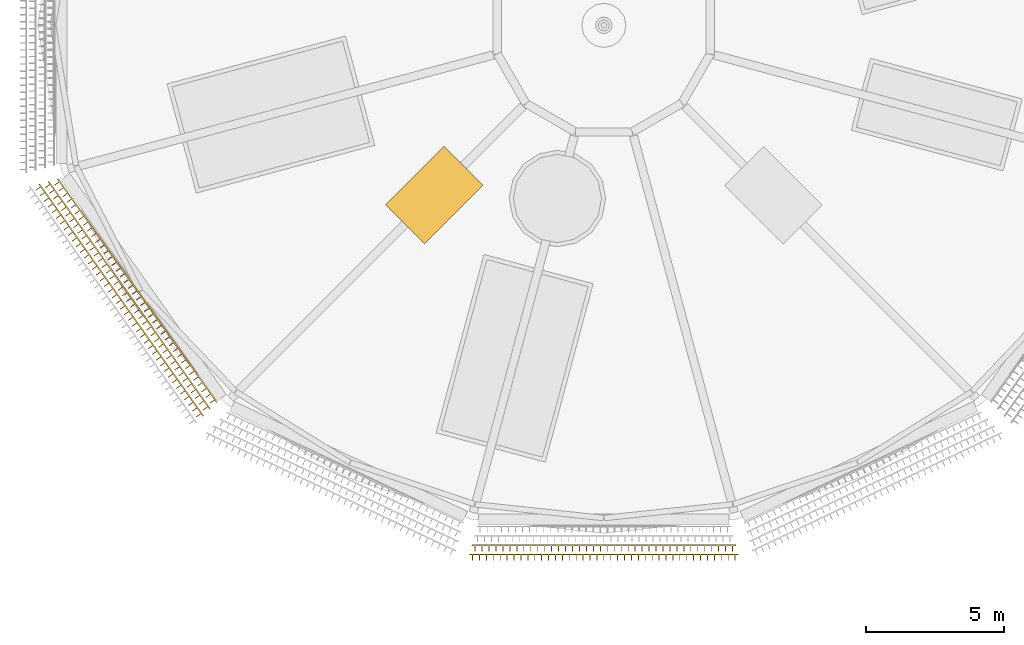
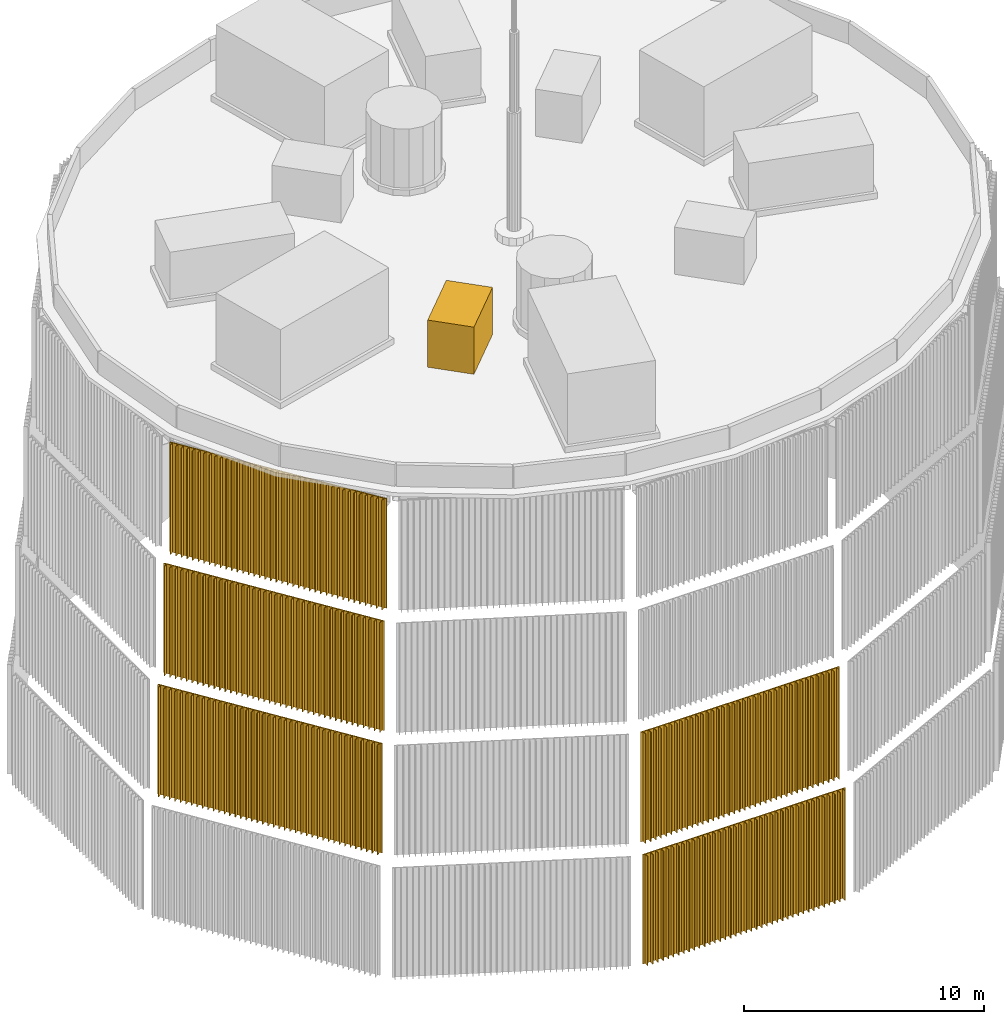
# One storey, part 4 of 24: 6 coverings.
"""IFC4 building model written with IfcOpenShell, lengths in metres."""

from ifc_helpers import new_model, si_unit, direction, frame, origin, place, context, subcontext, project, spatial, polyline, outline, extrude, material, type_object, element, save


model = new_model("IFC4")

# Units and contexts
model_context = context("Model", 3, precision=1e-05, world=origin(), true_north=direction((0.0, 1.0)))
body_context = subcontext(model_context, "Body", "Model", "MODEL_VIEW")
ifc_project = project(units=[si_unit("LENGTHUNIT", "METRE"), si_unit("AREAUNIT", "SQUARE_METRE"), si_unit("VOLUMEUNIT", "CUBIC_METRE"), si_unit("PLANEANGLEUNIT", "RADIAN"), si_unit("MASSUNIT", "GRAM", prefix="KILO")], contexts=[model_context])

# Site, building, storey
site_placement = place(None, origin())
site = spatial("IfcSite", under=ifc_project, at=site_placement, CompositionType="ELEMENT")
building_placement = place(site_placement, origin())
building = spatial("IfcBuilding", under=site, at=building_placement, Name="Rimbun Link Towers", CompositionType="ELEMENT")
storey_placement = place(building_placement, frame((0.0, 0.0, 294.89990234375)))
storey = spatial("IfcBuildingStorey", under=building, at=storey_placement, Name="Roof cap", CompositionType="ELEMENT", Elevation=294.89990234375)

# Coverings
ifc_material_1 = material(Name="Aluminium 6063-T6", Category="aluminium")
covering_type_1 = type_object("IfcCoveringType", Name="ROOF PLANT louvred enclosure 3000X2000X2400", PredefinedType="CLADDING", material=ifc_material_1)
covering_1_placement = place(storey_placement, frame((0.0, 0.0, 0.7001953125)))
element("IfcCovering", 1, at=covering_1_placement, inside=storey, type_object=covering_type_1, Name="ROOF PLANT louvred enclosure", PredefinedType="CLADDING", context=body_context, shape_type="SweptSolid", body=[
    extrude(outline(polyline([(-37.54931640625, -4.385009765625), (-39.670654296875, -6.50634765625), (-38.25634765625, -7.920654296875), (-36.135009765625, -5.79931640625), (-37.54931640625, -4.385009765625)])), origin(), (0.0, 0.0, 1.0), 2.39990234375),
])
ifc_material_2 = material(Name="Terracotta", Category="masonry")
covering_type_2 = type_object("IfcCoveringType", Name="TERRACOTTA CLADDING screen fins", PredefinedType="CLADDING", material=ifc_material_2)
covering_2_placement = place(storey_placement, frame((0.0, 0.0, -23.087890625)))
element("IfcCovering", 2, at=covering_2_placement, inside=storey, type_object=covering_type_2, Name="TERRACOTTA CLADDING screen", PredefinedType="CLADDING", context=body_context, shape_type="SweptSolid", body=[
    extrude(outline(polyline([(-36.63525390625, -19.212890625), (-36.52490234375, -19.212890625), (-36.52490234375, -19.4130859375), (-36.494873046875, -19.4130859375), (-36.494873046875, -19.212890625), (-36.2744140625, -19.212890625), (-36.2744140625, -19.4130859375), (-36.244384765625, -19.4130859375), (-36.244384765625, -19.212890625), (-36.02392578125, -19.212890625), (-36.02392578125, -19.4130859375), (-35.993896484375, -19.4130859375), (-35.993896484375, -19.212890625), (-35.773193359375, -19.212890625), (-35.773193359375, -19.4130859375), (-35.743408203125, -19.4130859375), (-35.743408203125, -19.212890625), (-35.522705078125, -19.212890625), (-35.522705078125, -19.4130859375), (-35.492919921875, -19.4130859375), (-35.492919921875, -19.212890625), (-35.272216796875, -19.212890625), (-35.272216796875, -19.4130859375), (-35.2421875, -19.4130859375), (-35.2421875, -19.212890625), (-35.021728515625, -19.212890625), (-35.021728515625, -19.4130859375), (-34.99169921875, -19.4130859375), (-34.99169921875, -19.212890625), (-34.771240234375, -19.212890625), (-34.771240234375, -19.4130859375), (-34.7412109375, -19.4130859375), (-34.7412109375, -19.212890625), (-34.520751953125, -19.212890625), (-34.520751953125, -19.4130859375), (-34.49072265625, -19.4130859375), (-34.49072265625, -19.212890625), (-34.270263671875, -19.212890625), (-34.270263671875, -19.4130859375), (-34.240234375, -19.4130859375), (-34.240234375, -19.212890625), (-34.019775390625, -19.212890625), (-34.019775390625, -19.4130859375), (-33.98974609375, -19.4130859375), (-33.98974609375, -19.212890625), (-33.769287109375, -19.212890625), (-33.769287109375, -19.4130859375), (-33.7392578125, -19.4130859375), (-33.7392578125, -19.212890625), (-33.5185546875, -19.212890625), (-33.5185546875, -19.4130859375), (-33.488525390625, -19.4130859375), (-33.488525390625, -19.212890625), (-33.26806640625, -19.212890625), (-33.26806640625, -19.4130859375), (-33.238037109375, -19.4130859375), (-33.238037109375, -19.212890625), (-33.017578125, -19.212890625), (-33.017578125, -19.4130859375), (-32.987548828125, -19.4130859375), (-32.987548828125, -19.212890625), (-32.76708984375, -19.212890625), (-32.76708984375, -19.4130859375), (-32.737060546875, -19.4130859375), (-32.737060546875, -19.212890625), (-32.5166015625, -19.212890625), (-32.5166015625, -19.4130859375), (-32.486572265625, -19.4130859375), (-32.486572265625, -19.212890625), (-32.26611328125, -19.212890625), (-32.26611328125, -19.4130859375), (-32.236083984375, -19.4130859375), (-32.236083984375, -19.212890625), (-32.015380859375, -19.212890625), (-32.015380859375, -19.4130859375), (-31.985595703125, -19.4130859375), (-31.985595703125, -19.212890625), (-31.764892578125, -19.212890625), (-31.764892578125, -19.4130859375), (-31.735107421875, -19.4130859375), (-31.735107421875, -19.212890625), (-31.514404296875, -19.212890625), (-31.514404296875, -19.4130859375), (-31.484619140625, -19.4130859375), (-31.484619140625, -19.212890625), (-31.263916015625, -19.212890625), (-31.263916015625, -19.4130859375), (-31.23388671875, -19.4130859375), (-31.23388671875, -19.212890625), (-31.013427734375, -19.212890625), (-31.013427734375, -19.4130859375), (-30.9833984375, -19.4130859375), (-30.9833984375, -19.212890625), (-30.762939453125, -19.212890625), (-30.762939453125, -19.4130859375), (-30.73291015625, -19.4130859375), (-30.73291015625, -19.212890625), (-30.512451171875, -19.212890625), (-30.512451171875, -19.4130859375), (-30.482421875, -19.4130859375), (-30.482421875, -19.212890625), (-30.261962890625, -19.212890625), (-30.261962890625, -19.4130859375), (-30.23193359375, -19.4130859375), (-30.23193359375, -19.212890625), (-30.011474609375, -19.212890625), (-30.011474609375, -19.4130859375), (-29.9814453125, -19.4130859375), (-29.9814453125, -19.212890625), (-29.7607421875, -19.212890625), (-29.7607421875, -19.4130859375), (-29.730712890625, -19.4130859375), (-29.730712890625, -19.212890625), (-29.51025390625, -19.212890625), (-29.51025390625, -19.4130859375), (-29.480224609375, -19.4130859375), (-29.480224609375, -19.212890625), (-29.259765625, -19.212890625), (-29.259765625, -19.4130859375), (-29.229736328125, -19.4130859375), (-29.229736328125, -19.212890625), (-29.00927734375, -19.212890625), (-29.00927734375, -19.4130859375), (-28.979248046875, -19.4130859375), (-28.979248046875, -19.212890625), (-28.7587890625, -19.212890625), (-28.7587890625, -19.4130859375), (-28.728759765625, -19.4130859375), (-28.728759765625, -19.212890625), (-28.50830078125, -19.212890625), (-28.50830078125, -19.4130859375), (-28.478271484375, -19.4130859375), (-28.478271484375, -19.212890625), (-28.2578125, -19.212890625), (-28.2578125, -19.4130859375), (-28.227783203125, -19.4130859375), (-28.227783203125, -19.212890625), (-28.007080078125, -19.212890625), (-28.007080078125, -19.4130859375), (-27.977294921875, -19.4130859375), (-27.977294921875, -19.212890625), (-27.756591796875, -19.212890625), (-27.756591796875, -19.4130859375), (-27.726806640625, -19.4130859375), (-27.726806640625, -19.212890625), (-27.506103515625, -19.212890625), (-27.506103515625, -19.4130859375), (-27.47607421875, -19.4130859375), (-27.47607421875, -19.212890625), (-27.255615234375, -19.212890625), (-27.255615234375, -19.4130859375), (-27.2255859375, -19.4130859375), (-27.2255859375, -19.212890625), (-27.005126953125, -19.212890625), (-27.005126953125, -19.4130859375), (-26.97509765625, -19.4130859375), (-26.97509765625, -19.212890625), (-26.86474609375, -19.212890625), (-26.878173828125, -19.1630859375), (-36.621826171875, -19.1630859375), (-36.63525390625, -19.212890625)])), origin(), (0.0, 0.0, 1.0), 5.575927734375),
])
covering_3_placement = place(storey_placement, frame((0.0, 0.0, -17.087890625)))
element("IfcCovering", 3, at=covering_3_placement, inside=storey, type_object=covering_type_2, Name="TERRACOTTA CLADDING screen", PredefinedType="CLADDING", context=body_context, shape_type="SweptSolid", body=[
    extrude(outline(polyline([(-52.255615234375, -5.75732421875), (-52.191650390625, -5.847900390625), (-52.35498046875, -5.96337890625), (-52.337646484375, -5.988037109375), (-52.17431640625, -5.87255859375), (-52.046142578125, -6.0537109375), (-52.20947265625, -6.1689453125), (-52.192138671875, -6.193603515625), (-52.02880859375, -6.078125), (-51.90087890625, -6.259033203125), (-52.064208984375, -6.37451171875), (-52.046875, -6.399169921875), (-51.883544921875, -6.28369140625), (-51.755615234375, -6.464599609375), (-51.918701171875, -6.580078125), (-51.901611328125, -6.604736328125), (-51.73828125, -6.4892578125), (-51.610107421875, -6.67041015625), (-51.7734375, -6.785888671875), (-51.756103515625, -6.810302734375), (-51.5927734375, -6.69482421875), (-51.464599609375, -6.8759765625), (-51.6279296875, -6.9912109375), (-51.610595703125, -7.015869140625), (-51.447509765625, -6.900390625), (-51.3193359375, -7.081298828125), (-51.482666015625, -7.197021484375), (-51.46533203125, -7.221435546875), (-51.302001953125, -7.10595703125), (-51.174072265625, -7.287109375), (-51.33740234375, -7.402587890625), (-51.320068359375, -7.427001953125), (-51.15673828125, -7.3115234375), (-51.028564453125, -7.49267578125), (-51.19189453125, -7.608154296875), (-51.174560546875, -7.632568359375), (-51.01123046875, -7.51708984375), (-50.88330078125, -7.6982421875), (-51.046630859375, -7.813720703125), (-51.029296875, -7.838134765625), (-50.865966796875, -7.72265625), (-50.73779296875, -7.90380859375), (-50.901123046875, -8.019287109375), (-50.8837890625, -8.043701171875), (-50.720703125, -7.92822265625), (-50.592529296875, -8.109375), (-50.755859375, -8.224853515625), (-50.738525390625, -8.249267578125), (-50.5751953125, -8.1337890625), (-50.447021484375, -8.31494140625), (-50.6103515625, -8.430419921875), (-50.593017578125, -8.454833984375), (-50.4296875, -8.33935546875), (-50.3017578125, -8.5205078125), (-50.465087890625, -8.635986328125), (-50.44775390625, -8.660400390625), (-50.284423828125, -8.544921875), (-50.156494140625, -8.72607421875), (-50.319580078125, -8.841552734375), (-50.302490234375, -8.865966796875), (-50.13916015625, -8.75048828125), (-50.010986328125, -8.931640625), (-50.17431640625, -9.047119140625), (-50.156982421875, -9.071533203125), (-49.99365234375, -8.9560546875), (-49.865478515625, -9.13720703125), (-50.02880859375, -9.252685546875), (-50.01171875, -9.277099609375), (-49.848388671875, -9.16162109375), (-49.72021484375, -9.3427734375), (-49.883544921875, -9.458251953125), (-49.8662109375, -9.48291015625), (-49.702880859375, -9.3671875), (-49.574951171875, -9.54833984375), (-49.73828125, -9.663818359375), (-49.720947265625, -9.688232421875), (-49.5576171875, -9.572998046875), (-49.429443359375, -9.75390625), (-49.5927734375, -9.869384765625), (-49.575439453125, -9.893798828125), (-49.412109375, -9.7783203125), (-49.2841796875, -9.95947265625), (-49.447509765625, -10.074951171875), (-49.43017578125, -10.099609375), (-49.266845703125, -9.98388671875), (-49.138916015625, -10.1650390625), (-49.302001953125, -10.280517578125), (-49.28466796875, -10.30517578125), (-49.12158203125, -10.189697265625), (-48.993408203125, -10.37060546875), (-49.15673828125, -10.486083984375), (-49.139404296875, -10.5107421875), (-48.97607421875, -10.395263671875), (-48.847900390625, -10.576416015625), (-49.01123046875, -10.691650390625), (-48.993896484375, -10.71630859375), (-48.830810546875, -10.600830078125), (-48.70263671875, -10.78173828125), (-48.865966796875, -10.897216796875), (-48.8486328125, -10.921875), (-48.685302734375, -10.806396484375), (-48.557373046875, -10.9873046875), (-48.720703125, -11.102783203125), (-48.703369140625, -11.12744140625), (-48.5400390625, -11.011962890625), (-48.411865234375, -11.193115234375), (-48.5751953125, -11.30859375), (-48.557861328125, -11.3330078125), (-48.39453125, -11.217529296875), (-48.2666015625, -11.398681640625), (-48.4296875, -11.513916015625), (-48.41259765625, -11.53857421875), (-48.249267578125, -11.423095703125), (-48.12109375, -11.604248046875), (-48.284423828125, -11.719482421875), (-48.26708984375, -11.744140625), (-48.103759765625, -11.628662109375), (-47.975830078125, -11.809814453125), (-48.13916015625, -11.92529296875), (-48.121826171875, -11.94970703125), (-47.95849609375, -11.834228515625), (-47.830322265625, -12.015380859375), (-47.99365234375, -12.130859375), (-47.976318359375, -12.1552734375), (-47.81298828125, -12.039794921875), (-47.68505859375, -12.220947265625), (-47.848388671875, -12.33642578125), (-47.8310546875, -12.36083984375), (-47.667724609375, -12.245361328125), (-47.539794921875, -12.426513671875), (-47.702880859375, -12.5419921875), (-47.685546875, -12.56640625), (-47.522216796875, -12.450927734375), (-47.394287109375, -12.632080078125), (-47.5576171875, -12.74755859375), (-47.540283203125, -12.77197265625), (-47.376953125, -12.656494140625), (-47.248779296875, -12.837646484375), (-47.412109375, -12.953125), (-47.39501953125, -12.9775390625), (-47.231689453125, -12.862060546875), (-47.103515625, -13.043212890625), (-47.266845703125, -13.15869140625), (-47.24951171875, -13.18310546875), (-47.086181640625, -13.067626953125), (-46.958251953125, -13.248779296875), (-47.12158203125, -13.3642578125), (-47.10400390625, -13.388671875), (-46.94091796875, -13.273193359375), (-46.812744140625, -13.454345703125), (-46.97607421875, -13.56982421875), (-46.958740234375, -13.59423828125), (-46.79541015625, -13.478759765625), (-46.66748046875, -13.659912109375), (-46.830810546875, -13.775390625), (-46.8134765625, -13.7998046875), (-46.650146484375, -13.684326171875), (-46.52197265625, -13.865478515625), (-46.685302734375, -13.98095703125), (-46.66796875, -14.005615234375), (-46.504638671875, -13.889892578125), (-46.376708984375, -14.071044921875), (-46.5400390625, -14.1865234375), (-46.522705078125, -14.2109375), (-46.359375, -14.095703125), (-46.29541015625, -14.18603515625), (-46.259521484375, -14.150146484375), (-52.2041015625, -5.74365234375), (-52.255615234375, -5.75732421875)])), origin(), (0.0, 0.0, 1.0), 5.575927734375),
])
covering_4_placement = place(storey_placement, frame((0.0, 0.0, -17.087890625)))
element("IfcCovering", 4, at=covering_4_placement, inside=storey, type_object=covering_type_2, Name="TERRACOTTA CLADDING screen", PredefinedType="CLADDING", context=body_context, shape_type="SweptSolid", body=[
    extrude(outline(polyline([(-36.544677734375, -18.875), (-36.433349609375, -18.875), (-36.433349609375, -19.074951171875), (-36.4033203125, -19.074951171875), (-36.4033203125, -18.875), (-36.180908203125, -18.875), (-36.180908203125, -19.074951171875), (-36.15087890625, -19.074951171875), (-36.15087890625, -18.875), (-35.9287109375, -18.875), (-35.9287109375, -19.074951171875), (-35.898681640625, -19.074951171875), (-35.898681640625, -18.875), (-35.67626953125, -18.875), (-35.67626953125, -19.074951171875), (-35.646240234375, -19.074951171875), (-35.646240234375, -18.875), (-35.424072265625, -18.875), (-35.424072265625, -19.074951171875), (-35.39404296875, -19.074951171875), (-35.39404296875, -18.875), (-35.171630859375, -18.875), (-35.171630859375, -19.074951171875), (-35.1416015625, -19.074951171875), (-35.1416015625, -18.875), (-34.919189453125, -18.875), (-34.919189453125, -19.074951171875), (-34.889404296875, -19.074951171875), (-34.889404296875, -18.875), (-34.6669921875, -18.875), (-34.6669921875, -19.074951171875), (-34.636962890625, -19.074951171875), (-34.636962890625, -18.875), (-34.41455078125, -18.875), (-34.41455078125, -19.074951171875), (-34.384521484375, -19.074951171875), (-34.384521484375, -18.875), (-34.162353515625, -18.875), (-34.162353515625, -19.074951171875), (-34.13232421875, -19.074951171875), (-34.13232421875, -18.875), (-33.909912109375, -18.875), (-33.909912109375, -19.074951171875), (-33.8798828125, -19.074951171875), (-33.8798828125, -18.875), (-33.65771484375, -18.875), (-33.65771484375, -19.074951171875), (-33.627685546875, -19.074951171875), (-33.627685546875, -18.875), (-33.4052734375, -18.875), (-33.4052734375, -19.074951171875), (-33.375244140625, -19.074951171875), (-33.375244140625, -18.875), (-33.15283203125, -18.875), (-33.15283203125, -19.074951171875), (-33.122802734375, -19.074951171875), (-33.122802734375, -18.875), (-32.900634765625, -18.875), (-32.900634765625, -19.074951171875), (-32.87060546875, -19.074951171875), (-32.87060546875, -18.875), (-32.648193359375, -18.875), (-32.648193359375, -19.074951171875), (-32.6181640625, -19.074951171875), (-32.6181640625, -18.875), (-32.39599609375, -18.875), (-32.39599609375, -19.074951171875), (-32.365966796875, -19.074951171875), (-32.365966796875, -18.875), (-32.1435546875, -18.875), (-32.1435546875, -19.074951171875), (-32.113525390625, -19.074951171875), (-32.113525390625, -18.875), (-31.89111328125, -18.875), (-31.89111328125, -19.074951171875), (-31.861083984375, -19.074951171875), (-31.861083984375, -18.875), (-31.638916015625, -18.875), (-31.638916015625, -19.074951171875), (-31.60888671875, -19.074951171875), (-31.60888671875, -18.875), (-31.386474609375, -18.875), (-31.386474609375, -19.074951171875), (-31.3564453125, -19.074951171875), (-31.3564453125, -18.875), (-31.134033203125, -18.875), (-31.134033203125, -19.074951171875), (-31.10400390625, -19.074951171875), (-31.10400390625, -18.875), (-30.8818359375, -18.875), (-30.8818359375, -19.074951171875), (-30.851806640625, -19.074951171875), (-30.851806640625, -18.875), (-30.62939453125, -18.875), (-30.62939453125, -19.074951171875), (-30.599365234375, -19.074951171875), (-30.599365234375, -18.875), (-30.377197265625, -18.875), (-30.377197265625, -19.074951171875), (-30.34716796875, -19.074951171875), (-30.34716796875, -18.875), (-30.124755859375, -18.875), (-30.124755859375, -19.074951171875), (-30.0947265625, -19.074951171875), (-30.0947265625, -18.875), (-29.872314453125, -18.875), (-29.872314453125, -19.074951171875), (-29.84228515625, -19.074951171875), (-29.84228515625, -18.875), (-29.6201171875, -18.875), (-29.6201171875, -19.074951171875), (-29.590087890625, -19.074951171875), (-29.590087890625, -18.875), (-29.36767578125, -18.875), (-29.36767578125, -19.074951171875), (-29.337646484375, -19.074951171875), (-29.337646484375, -18.875), (-29.115478515625, -18.875), (-29.115478515625, -19.074951171875), (-29.08544921875, -19.074951171875), (-29.08544921875, -18.875), (-28.863037109375, -18.875), (-28.863037109375, -19.074951171875), (-28.8330078125, -19.074951171875), (-28.8330078125, -18.875), (-28.610595703125, -18.875), (-28.610595703125, -19.074951171875), (-28.580810546875, -19.074951171875), (-28.580810546875, -18.875), (-28.3583984375, -18.875), (-28.3583984375, -19.074951171875), (-28.328369140625, -19.074951171875), (-28.328369140625, -18.875), (-28.10595703125, -18.875), (-28.10595703125, -19.074951171875), (-28.075927734375, -19.074951171875), (-28.075927734375, -18.875), (-27.853759765625, -18.875), (-27.853759765625, -19.074951171875), (-27.82373046875, -19.074951171875), (-27.82373046875, -18.875), (-27.601318359375, -18.875), (-27.601318359375, -19.074951171875), (-27.5712890625, -19.074951171875), (-27.5712890625, -18.875), (-27.34912109375, -18.875), (-27.34912109375, -19.074951171875), (-27.319091796875, -19.074951171875), (-27.319091796875, -18.875), (-27.0966796875, -18.875), (-27.0966796875, -19.074951171875), (-27.066650390625, -19.074951171875), (-27.066650390625, -18.875), (-26.955322265625, -18.875), (-26.96875, -18.824951171875), (-36.53125, -18.824951171875), (-36.544677734375, -18.875)])), origin(), (0.0, 0.0, 1.0), 5.575927734375),
])
covering_5_placement = place(storey_placement, frame((0.0, 0.0, -11.087890625)))
element("IfcCovering", 5, at=covering_5_placement, inside=storey, type_object=covering_type_2, Name="TERRACOTTA CLADDING screen", PredefinedType="CLADDING", context=body_context, shape_type="SweptSolid", body=[
    extrude(outline(polyline([(-51.91748046875, -5.666748046875), (-51.852783203125, -5.758056640625), (-52.01611328125, -5.873779296875), (-51.998779296875, -5.898193359375), (-51.835693359375, -5.782470703125), (-51.706298828125, -5.96484375), (-51.869384765625, -6.08056640625), (-51.851806640625, -6.10498046875), (-51.688720703125, -5.9892578125), (-51.559326171875, -6.171630859375), (-51.722412109375, -6.287353515625), (-51.705078125, -6.311767578125), (-51.5419921875, -6.196044921875), (-51.41259765625, -6.37841796875), (-51.57568359375, -6.494140625), (-51.558349609375, -6.5185546875), (-51.395263671875, -6.40283203125), (-51.26611328125, -6.585205078125), (-51.42919921875, -6.700927734375), (-51.41162109375, -6.725341796875), (-51.24853515625, -6.609619140625), (-51.119140625, -6.7919921875), (-51.2822265625, -6.90771484375), (-51.264892578125, -6.93212890625), (-51.101806640625, -6.81640625), (-50.972412109375, -6.998779296875), (-51.135498046875, -7.114501953125), (-51.1181640625, -7.138916015625), (-50.955078125, -7.023193359375), (-50.82568359375, -7.20556640625), (-50.98876953125, -7.3212890625), (-50.971435546875, -7.345703125), (-50.808349609375, -7.22998046875), (-50.678955078125, -7.412353515625), (-50.842041015625, -7.528076171875), (-50.82470703125, -7.552490234375), (-50.66162109375, -7.436767578125), (-50.5322265625, -7.619140625), (-50.6953125, -7.73486328125), (-50.677978515625, -7.759521484375), (-50.514892578125, -7.6435546875), (-50.385498046875, -7.825927734375), (-50.548583984375, -7.941650390625), (-50.53125, -7.96630859375), (-50.3681640625, -7.850341796875), (-50.23876953125, -8.03271484375), (-50.40185546875, -8.1484375), (-50.384521484375, -8.173095703125), (-50.221435546875, -8.05712890625), (-50.092041015625, -8.239501953125), (-50.255126953125, -8.355224609375), (-50.23779296875, -8.379638671875), (-50.07470703125, -8.263916015625), (-49.9453125, -8.4462890625), (-50.1083984375, -8.56201171875), (-50.091064453125, -8.58642578125), (-49.927978515625, -8.470703125), (-49.798583984375, -8.653076171875), (-49.961669921875, -8.768798828125), (-49.944091796875, -8.793212890625), (-49.781005859375, -8.677490234375), (-49.65185546875, -8.85986328125), (-49.81494140625, -8.9755859375), (-49.797607421875, -9.0), (-49.634521484375, -8.884521484375), (-49.5048828125, -9.066650390625), (-49.668212890625, -9.1826171875), (-49.65087890625, -9.206787109375), (-49.487548828125, -9.09130859375), (-49.3583984375, -9.2734375), (-49.521484375, -9.389404296875), (-49.50390625, -9.413818359375), (-49.3408203125, -9.298095703125), (-49.21142578125, -9.480224609375), (-49.37451171875, -9.595947265625), (-49.357421875, -9.62060546875), (-49.194091796875, -9.5048828125), (-49.064697265625, -9.68701171875), (-49.227783203125, -9.802734375), (-49.21044921875, -9.827392578125), (-49.04736328125, -9.711669921875), (-48.91796875, -9.893798828125), (-49.0810546875, -10.009521484375), (-49.063720703125, -10.0341796875), (-48.900634765625, -9.91845703125), (-48.771240234375, -10.1005859375), (-48.934326171875, -10.21630859375), (-48.9169921875, -10.240966796875), (-48.75390625, -10.125244140625), (-48.62451171875, -10.3076171875), (-48.78759765625, -10.423095703125), (-48.770263671875, -10.44775390625), (-48.607177734375, -10.331787109375), (-48.477783203125, -10.514404296875), (-48.640869140625, -10.6298828125), (-48.62353515625, -10.654541015625), (-48.46044921875, -10.538818359375), (-48.3310546875, -10.72119140625), (-48.494140625, -10.8369140625), (-48.476806640625, -10.861328125), (-48.313720703125, -10.74560546875), (-48.184326171875, -10.927978515625), (-48.347412109375, -11.043701171875), (-48.330078125, -11.068115234375), (-48.1669921875, -10.952392578125), (-48.03759765625, -11.134765625), (-48.20068359375, -11.25048828125), (-48.183349609375, -11.27490234375), (-48.020263671875, -11.1591796875), (-47.890869140625, -11.34130859375), (-48.053955078125, -11.457275390625), (-48.03662109375, -11.481689453125), (-47.87353515625, -11.365966796875), (-47.744140625, -11.548095703125), (-47.9072265625, -11.6640625), (-47.889892578125, -11.6884765625), (-47.726806640625, -11.57275390625), (-47.597412109375, -11.7548828125), (-47.760498046875, -11.870849609375), (-47.7431640625, -11.895263671875), (-47.580078125, -11.779541015625), (-47.45068359375, -11.9619140625), (-47.61376953125, -12.07763671875), (-47.59619140625, -12.10205078125), (-47.43310546875, -11.986328125), (-47.3037109375, -12.168701171875), (-47.466796875, -12.284423828125), (-47.44970703125, -12.308837890625), (-47.28662109375, -12.193115234375), (-47.156982421875, -12.37548828125), (-47.3203125, -12.4912109375), (-47.302734375, -12.515625), (-47.1396484375, -12.39990234375), (-47.01025390625, -12.582275390625), (-47.17333984375, -12.697998046875), (-47.156005859375, -12.722412109375), (-46.992919921875, -12.606689453125), (-46.863525390625, -12.7890625), (-47.026611328125, -12.90478515625), (-47.00927734375, -12.92919921875), (-46.84619140625, -12.8134765625), (-46.716796875, -12.995849609375), (-46.8798828125, -13.111572265625), (-46.862548828125, -13.135986328125), (-46.699462890625, -13.020263671875), (-46.570068359375, -13.20263671875), (-46.733154296875, -13.318359375), (-46.7158203125, -13.3427734375), (-46.552734375, -13.22705078125), (-46.42333984375, -13.409423828125), (-46.58642578125, -13.525146484375), (-46.569091796875, -13.549560546875), (-46.406005859375, -13.433837890625), (-46.276611328125, -13.6162109375), (-46.439697265625, -13.73193359375), (-46.42236328125, -13.75634765625), (-46.25927734375, -13.640625), (-46.1298828125, -13.822998046875), (-46.29296875, -13.938720703125), (-46.275634765625, -13.963134765625), (-46.112548828125, -13.847412109375), (-46.0478515625, -13.938720703125), (-46.011962890625, -13.902587890625), (-51.8662109375, -5.653076171875), (-51.91748046875, -5.666748046875)])), origin(), (0.0, 0.0, 1.0), 5.575927734375),
])
covering_6_placement = place(storey_placement, frame((0.0, 0.0, -5.087890625)))
element("IfcCovering", 6, at=covering_6_placement, inside=storey, type_object=covering_type_2, Name="TERRACOTTA CLADDING screen", PredefinedType="CLADDING", context=body_context, shape_type="SweptSolid", body=[
    extrude(outline(polyline([(-51.57958984375, -5.576416015625), (-51.51416015625, -5.668212890625), (-51.677001953125, -5.7841796875), (-51.65966796875, -5.80859375), (-51.496826171875, -5.6923828125), (-51.365966796875, -5.876220703125), (-51.52880859375, -5.9921875), (-51.511474609375, -6.0166015625), (-51.3486328125, -5.900634765625), (-51.2177734375, -6.084228515625), (-51.380615234375, -6.2001953125), (-51.36328125, -6.224609375), (-51.200439453125, -6.108642578125), (-51.069580078125, -6.292236328125), (-51.232421875, -6.408203125), (-51.215087890625, -6.432861328125), (-51.05224609375, -6.316650390625), (-50.92138671875, -6.50048828125), (-51.084228515625, -6.616455078125), (-51.06689453125, -6.640869140625), (-50.904052734375, -6.52490234375), (-50.773193359375, -6.70849609375), (-50.936279296875, -6.824462890625), (-50.918701171875, -6.848876953125), (-50.755859375, -6.73291015625), (-50.625, -6.91650390625), (-50.7880859375, -7.032470703125), (-50.7705078125, -7.056884765625), (-50.607666015625, -6.94091796875), (-50.476806640625, -7.12451171875), (-50.639892578125, -7.240478515625), (-50.622314453125, -7.26513671875), (-50.45947265625, -7.14892578125), (-50.32861328125, -7.332763671875), (-50.49169921875, -7.44873046875), (-50.47412109375, -7.47314453125), (-50.311279296875, -7.357177734375), (-50.180419921875, -7.540771484375), (-50.343505859375, -7.65673828125), (-50.325927734375, -7.68115234375), (-50.1630859375, -7.565185546875), (-50.0322265625, -7.748779296875), (-50.1953125, -7.86474609375), (-50.177734375, -7.889404296875), (-50.014892578125, -7.773193359375), (-49.884033203125, -7.956787109375), (-50.047119140625, -8.072998046875), (-50.029541015625, -8.097412109375), (-49.86669921875, -7.981201171875), (-49.736083984375, -8.1650390625), (-49.89892578125, -8.281005859375), (-49.881591796875, -8.305419921875), (-49.718505859375, -8.189453125), (-49.587890625, -8.373046875), (-49.750732421875, -8.489013671875), (-49.7333984375, -8.513427734375), (-49.5703125, -8.3974609375), (-49.439697265625, -8.5810546875), (-49.6025390625, -8.697021484375), (-49.585205078125, -8.7216796875), (-49.422119140625, -8.60546875), (-49.29150390625, -8.789306640625), (-49.454345703125, -8.9052734375), (-49.43701171875, -8.9296875), (-49.27392578125, -8.813720703125), (-49.143310546875, -8.997314453125), (-49.30615234375, -9.11328125), (-49.288818359375, -9.1376953125), (-49.125732421875, -9.021728515625), (-48.9951171875, -9.205322265625), (-49.157958984375, -9.3212890625), (-49.140380859375, -9.345703125), (-48.9775390625, -9.229736328125), (-48.8466796875, -9.413330078125), (-49.009765625, -9.529296875), (-48.9921875, -9.553955078125), (-48.829345703125, -9.437744140625), (-48.69873046875, -9.62158203125), (-48.861572265625, -9.737548828125), (-48.84423828125, -9.761962890625), (-48.681396484375, -9.64599609375), (-48.550537109375, -9.82958984375), (-48.71337890625, -9.945556640625), (-48.696044921875, -9.969970703125), (-48.533203125, -9.85400390625), (-48.40234375, -10.03759765625), (-48.565185546875, -10.15380859375), (-48.5478515625, -10.177978515625), (-48.385009765625, -10.06201171875), (-48.254150390625, -10.24560546875), (-48.4169921875, -10.36181640625), (-48.399658203125, -10.38623046875), (-48.23681640625, -10.27001953125), (-48.10595703125, -10.453857421875), (-48.268798828125, -10.56982421875), (-48.25146484375, -10.59423828125), (-48.08837890625, -10.478271484375), (-47.957763671875, -10.661865234375), (-48.12060546875, -10.77783203125), (-48.103271484375, -10.80224609375), (-47.940185546875, -10.686279296875), (-47.8095703125, -10.869873046875), (-47.972412109375, -10.98583984375), (-47.955078125, -11.010498046875), (-47.7919921875, -10.894287109375), (-47.661376953125, -11.077880859375), (-47.82421875, -11.194091796875), (-47.806884765625, -11.218505859375), (-47.64404296875, -11.102294921875), (-47.51318359375, -11.2861328125), (-47.676025390625, -11.402099609375), (-47.65869140625, -11.426513671875), (-47.495849609375, -11.310546875), (-47.364990234375, -11.494140625), (-47.52783203125, -11.610107421875), (-47.510498046875, -11.634521484375), (-47.34765625, -11.5185546875), (-47.216796875, -11.7021484375), (-47.379638671875, -11.818115234375), (-47.3623046875, -11.8427734375), (-47.199462890625, -11.726806640625), (-47.068603515625, -11.910400390625), (-47.2314453125, -12.0263671875), (-47.214111328125, -12.05078125), (-47.05126953125, -11.934814453125), (-46.92041015625, -12.118408203125), (-47.08349609375, -12.234375), (-47.06591796875, -12.2587890625), (-46.903076171875, -12.142822265625), (-46.772216796875, -12.326416015625), (-46.935302734375, -12.4423828125), (-46.917724609375, -12.466796875), (-46.7548828125, -12.350830078125), (-46.6240234375, -12.534423828125), (-46.787109375, -12.650390625), (-46.76953125, -12.675048828125), (-46.606689453125, -12.55908203125), (-46.475830078125, -12.74267578125), (-46.638916015625, -12.858642578125), (-46.621337890625, -12.883056640625), (-46.45849609375, -12.76708984375), (-46.32763671875, -12.95068359375), (-46.490478515625, -13.066650390625), (-46.47314453125, -13.091064453125), (-46.310302734375, -12.97509765625), (-46.179443359375, -13.15869140625), (-46.34228515625, -13.27490234375), (-46.324951171875, -13.29931640625), (-46.162109375, -13.18310546875), (-46.03125, -13.36669921875), (-46.194091796875, -13.48291015625), (-46.1767578125, -13.50732421875), (-46.013916015625, -13.391357421875), (-45.88330078125, -13.574951171875), (-46.046142578125, -13.69091796875), (-46.02880859375, -13.71533203125), (-45.86572265625, -13.599365234375), (-45.80029296875, -13.691162109375), (-45.764404296875, -13.6552734375), (-51.528076171875, -5.5625), (-51.57958984375, -5.576416015625)])), origin(), (0.0, 0.0, 1.0), 5.575927734375),
])

save(model, "model.ifc")
